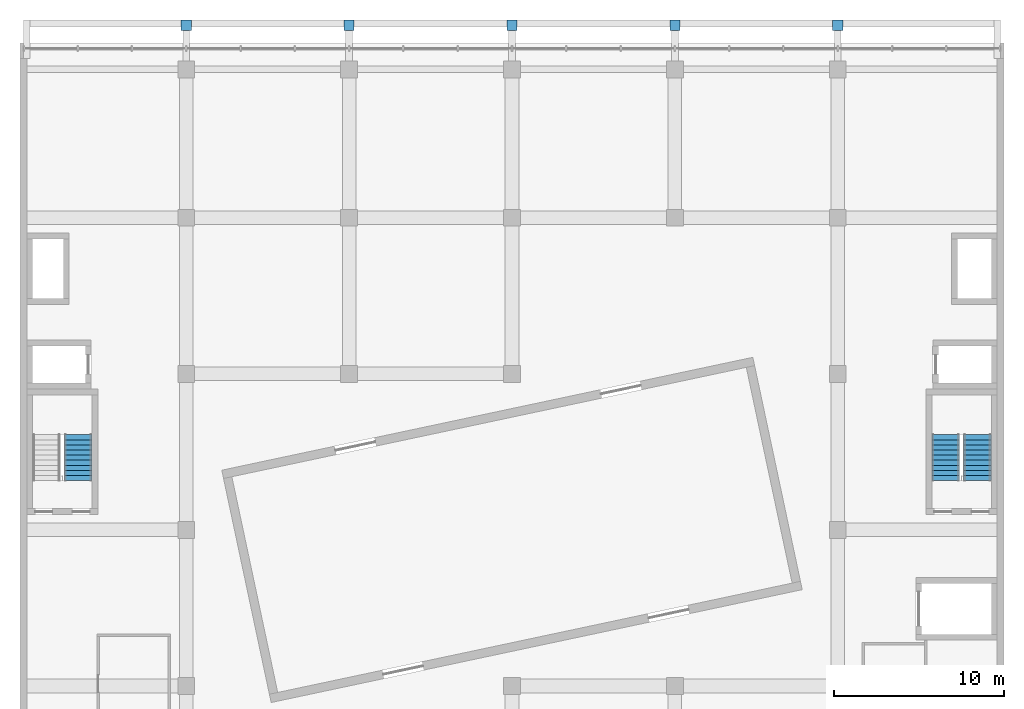
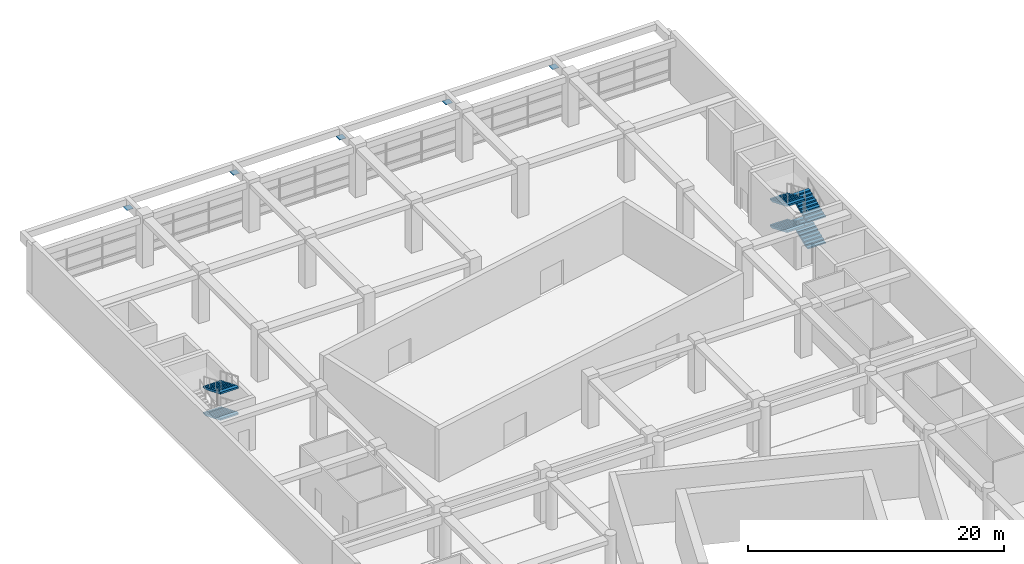
# One storey, part 16 of 31: 6 stair flights, 5 discrete accessories, 2 elements without a shape of their own.
"""IFC4 building model written with IfcOpenShell, lengths in metres."""

from ifc_helpers import new_model, si_unit, direction, frame, origin, origin_2d, place, context, subcontext, project, spatial, polyline, rectangle, outline, extrude, material, type_object, element, aggregate, save


model = new_model("IFC4")

# Units and contexts
model_context = context("Model", 3, precision=1e-05, world=origin(), true_north=direction((0.0, 1.0)))
body_context = subcontext(model_context, "Body", "Model", "MODEL_VIEW")
ifc_project = project(units=[si_unit("LENGTHUNIT", "METRE"), si_unit("AREAUNIT", "SQUARE_METRE"), si_unit("VOLUMEUNIT", "CUBIC_METRE"), si_unit("PLANEANGLEUNIT", "RADIAN"), si_unit("MASSUNIT", "GRAM", prefix="KILO")], contexts=[model_context])

# Site, building, storey
site_placement = place(None, origin())
site = spatial("IfcSite", under=ifc_project, at=site_placement, CompositionType="ELEMENT")
building_placement = place(site_placement, origin())
building = spatial("IfcBuilding", under=site, at=building_placement, Name="Nzadi Deep Aquarium and Research Tower", CompositionType="ELEMENT")
storey_placement = place(building_placement, frame((0.0, 0.0, 21.699951171875)))
storey = spatial("IfcBuildingStorey", under=building, at=storey_placement, Name="L03", CompositionType="ELEMENT", Elevation=21.699951171875)

# Stair, stair flights
ifc_material_1 = material(Name="Concrete C35/45", Category="concrete")
stair_type = type_object("IfcStairType", Name="STAIR RETURN 3000", PredefinedType="NOTDEFINED", material=ifc_material_1)
stair_1_placement = place(storey_placement, origin())
stair_1 = element("IfcStair", 1, at=stair_1_placement, inside=storey, type_object=stair_type, Name="Stair ST-Z3-W L03", PredefinedType="DOUBLE_RETURN_STAIR")
ifc_material_2 = material(Name="Concrete C35/45", Category="concrete")
stair_flight_type = type_object("IfcStairFlightType", Name="FLIGHT 1625 10 RISERS 125.0", PredefinedType="STRAIGHT", material=ifc_material_2)
stair_flight_1_placement = place(storey_placement, frame((3.237548828125, 118.81005859375, 1.25), z_axis=(0.0, 0.0, 1.0), x_axis=(0.0, -1.0, 0.0)))
stair_flight_1 = element("IfcStairFlight", 2, at=stair_flight_1_placement, type_object=stair_flight_type, Name="ST-Z3-W flight 2", NumberOfRisers=10, NumberOfTreads=9, PredefinedType="STRAIGHT", RiserHeight=0.125, TreadLength=0.3, context=body_context, shape_type="SweptSolid", body=[
    extrude(outline(polyline([(0.0, 0.0), (0.0, 0.125), (0.300048828125, 0.125), (0.300048828125, 0.25), (0.60009765625, 0.25), (0.60009765625, 0.375), (0.89990234375, 0.375), (0.89990234375, 0.5), (1.199951171875, 0.5), (1.199951171875, 0.625), (1.5, 0.625), (1.5, 0.75), (1.800048828125, 0.75), (1.800048828125, 0.875), (2.10009765625, 0.875), (2.10009765625, 1.0), (2.39990234375, 1.0), (2.39990234375, 1.125), (2.699951171875, 1.125), (2.699951171875, 1.25), (2.699951171875, 0.962646484375), (0.3896484375, 0.0), (0.0, 0.0)])), frame((0.0, 0.8125, 0.0), z_axis=(0.0, -1.0, 0.0), x_axis=(1.0, 0.0, 0.0)), (0.0, 0.0, 1.0), 1.625),
])
stair_flight_2_placement = place(storey_placement, frame((3.237548828125, 118.81005859375, 3.75), z_axis=(0.0, 0.0, 1.0), x_axis=(0.0, -1.0, 0.0)))
stair_flight_2 = element("IfcStairFlight", 3, at=stair_flight_2_placement, type_object=stair_flight_type, Name="ST-Z3-W flight 4", NumberOfRisers=10, NumberOfTreads=9, PredefinedType="STRAIGHT", RiserHeight=0.125, TreadLength=0.3, context=body_context, shape_type="SweptSolid", body=[
    extrude(outline(polyline([(0.0, 0.0), (0.0, 0.125), (0.300048828125, 0.125), (0.300048828125, 0.25), (0.60009765625, 0.25), (0.60009765625, 0.375), (0.89990234375, 0.375), (0.89990234375, 0.5), (1.199951171875, 0.5), (1.199951171875, 0.625), (1.5, 0.625), (1.5, 0.75), (1.800048828125, 0.75), (1.800048828125, 0.875), (2.10009765625, 0.875), (2.10009765625, 1.0), (2.39990234375, 1.0), (2.39990234375, 1.125), (2.699951171875, 1.125), (2.699951171875, 1.25), (2.699951171875, 0.962646484375), (0.3896484375, 0.0), (0.0, 0.0)])), frame((0.0, 0.8125, 0.0), z_axis=(0.0, -1.0, 0.0), x_axis=(1.0, 0.0, 0.0)), (0.0, 0.0, 1.0), 1.625),
])
aggregate(stair_1, [stair_flight_1, stair_flight_2])

stair_2_placement = place(storey_placement, origin())
stair_2 = element("IfcStair", 4, at=stair_2_placement, inside=storey, type_object=stair_type, Name="Stair ST-Z3-E L03", PredefinedType="DOUBLE_RETURN_STAIR")
stair_flight_3_placement = place(storey_placement, frame((56.237548828125, 116.110107421875, 0.0), z_axis=(0.0, 0.0, 1.0), x_axis=(0.0, 1.0, 0.0)))
stair_flight_3 = element("IfcStairFlight", 5, at=stair_flight_3_placement, type_object=stair_flight_type, Name="ST-Z3-E flight 1", NumberOfRisers=10, NumberOfTreads=9, PredefinedType="STRAIGHT", RiserHeight=0.125, TreadLength=0.3, context=body_context, shape_type="SweptSolid", body=[
    extrude(outline(polyline([(0.0, 0.0), (0.0, 0.125), (0.300048828125, 0.125), (0.300048828125, 0.25), (0.60009765625, 0.25), (0.60009765625, 0.375), (0.89990234375, 0.375), (0.89990234375, 0.5), (1.199951171875, 0.5), (1.199951171875, 0.625), (1.5, 0.625), (1.5, 0.75), (1.800048828125, 0.75), (1.800048828125, 0.875), (2.10009765625, 0.875), (2.10009765625, 1.0), (2.39990234375, 1.0), (2.39990234375, 1.125), (2.699951171875, 1.125), (2.699951171875, 1.25), (2.699951171875, 0.962646484375), (0.3896484375, 0.0), (0.0, 0.0)])), frame((0.0, 0.8125, 0.0), z_axis=(0.0, -1.0, 0.0), x_axis=(1.0, 0.0, 0.0)), (0.0, 0.0, 1.0), 1.625),
])
stair_flight_4_placement = place(storey_placement, frame((54.362548828125, 118.81005859375, 1.25), z_axis=(0.0, 0.0, 1.0), x_axis=(0.0, -1.0, 0.0)))
stair_flight_4 = element("IfcStairFlight", 6, at=stair_flight_4_placement, type_object=stair_flight_type, Name="ST-Z3-E flight 2", NumberOfRisers=10, NumberOfTreads=9, PredefinedType="STRAIGHT", RiserHeight=0.125, TreadLength=0.3, context=body_context, shape_type="SweptSolid", body=[
    extrude(outline(polyline([(0.0, 0.0), (0.0, 0.125), (0.300048828125, 0.125), (0.300048828125, 0.25), (0.60009765625, 0.25), (0.60009765625, 0.375), (0.89990234375, 0.375), (0.89990234375, 0.5), (1.199951171875, 0.5), (1.199951171875, 0.625), (1.5, 0.625), (1.5, 0.75), (1.800048828125, 0.75), (1.800048828125, 0.875), (2.10009765625, 0.875), (2.10009765625, 1.0), (2.39990234375, 1.0), (2.39990234375, 1.125), (2.699951171875, 1.125), (2.699951171875, 1.25), (2.699951171875, 0.962646484375), (0.3896484375, 0.0), (0.0, 0.0)])), frame((0.0, 0.8125, 0.0), z_axis=(0.0, -1.0, 0.0), x_axis=(1.0, 0.0, 0.0)), (0.0, 0.0, 1.0), 1.625),
])
stair_flight_5_placement = place(storey_placement, frame((56.237548828125, 116.110107421875, 2.5), z_axis=(0.0, 0.0, 1.0), x_axis=(0.0, 1.0, 0.0)))
stair_flight_5 = element("IfcStairFlight", 7, at=stair_flight_5_placement, type_object=stair_flight_type, Name="ST-Z3-E flight 3", NumberOfRisers=10, NumberOfTreads=9, PredefinedType="STRAIGHT", RiserHeight=0.125, TreadLength=0.3, context=body_context, shape_type="SweptSolid", body=[
    extrude(outline(polyline([(0.0, 0.0), (0.0, 0.125), (0.300048828125, 0.125), (0.300048828125, 0.25), (0.60009765625, 0.25), (0.60009765625, 0.375), (0.89990234375, 0.375), (0.89990234375, 0.5), (1.199951171875, 0.5), (1.199951171875, 0.625), (1.5, 0.625), (1.5, 0.75), (1.800048828125, 0.75), (1.800048828125, 0.875), (2.10009765625, 0.875), (2.10009765625, 1.0), (2.39990234375, 1.0), (2.39990234375, 1.125), (2.699951171875, 1.125), (2.699951171875, 1.25), (2.699951171875, 0.962646484375), (0.3896484375, 0.0), (0.0, 0.0)])), frame((0.0, 0.8125, 0.0), z_axis=(0.0, -1.0, 0.0), x_axis=(1.0, 0.0, 0.0)), (0.0, 0.0, 1.0), 1.625),
])
stair_flight_6_placement = place(storey_placement, frame((54.362548828125, 118.81005859375, 3.75), z_axis=(0.0, 0.0, 1.0), x_axis=(0.0, -1.0, 0.0)))
stair_flight_6 = element("IfcStairFlight", 8, at=stair_flight_6_placement, type_object=stair_flight_type, Name="ST-Z3-E flight 4", NumberOfRisers=10, NumberOfTreads=9, PredefinedType="STRAIGHT", RiserHeight=0.125, TreadLength=0.3, context=body_context, shape_type="SweptSolid", body=[
    extrude(outline(polyline([(0.0, 0.0), (0.0, 0.125), (0.300048828125, 0.125), (0.300048828125, 0.25), (0.60009765625, 0.25), (0.60009765625, 0.375), (0.89990234375, 0.375), (0.89990234375, 0.5), (1.199951171875, 0.5), (1.199951171875, 0.625), (1.5, 0.625), (1.5, 0.75), (1.800048828125, 0.75), (1.800048828125, 0.875), (2.10009765625, 0.875), (2.10009765625, 1.0), (2.39990234375, 1.0), (2.39990234375, 1.125), (2.699951171875, 1.125), (2.699951171875, 1.25), (2.699951171875, 0.962646484375), (0.3896484375, 0.0), (0.0, 0.0)])), frame((0.0, 0.8125, 0.0), z_axis=(0.0, -1.0, 0.0), x_axis=(1.0, 0.0, 0.0)), (0.0, 0.0, 1.0), 1.625),
])
aggregate(stair_2, [stair_flight_3, stair_flight_4, stair_flight_5, stair_flight_6])

# Discrete accessories
for number, where, z_axis, x_axis, name in (
    (9, (9.60009765625, 142.95263671875, 3.72509765625), (0.0, 0.0, 1.0), (1.0, 0.0, 0.0), "Strut head end plate"),
    (10, (19.199951171875, 142.95263671875, 3.72509765625), (0.0, 0.0, 1.0), (1.0, 0.0, 0.0), "Strut head end plate"),
    (11, (28.800048828125, 142.95263671875, 3.72509765625), (0.0, 0.0, 1.0), (1.0, 0.0, 0.0), "Strut head end plate"),
    (12, (38.39990234375, 142.95263671875, 3.72509765625), (0.0, 0.0, 1.0), (1.0, 0.0, 0.0), "Strut head end plate"),
    (13, (48.0, 142.95263671875, 3.72509765625), (0.0, 0.0, 1.0), (1.0, 0.0, 0.0), "Strut head end plate"),
):
    element("IfcDiscreteAccessory", number, at=place(storey_placement, frame(where, z_axis=z_axis, x_axis=x_axis)), inside=storey, Name=name, PredefinedType="BRACKET", context=body_context, shape_type="SweptSolid", body=[
        extrude(rectangle(XDim=0.60009765625, YDim=0.60693359375, at=origin_2d()), origin(), (0.0, 0.0, 1.0), 0.02490234375),
    ])

save(model, "model.ifc")
